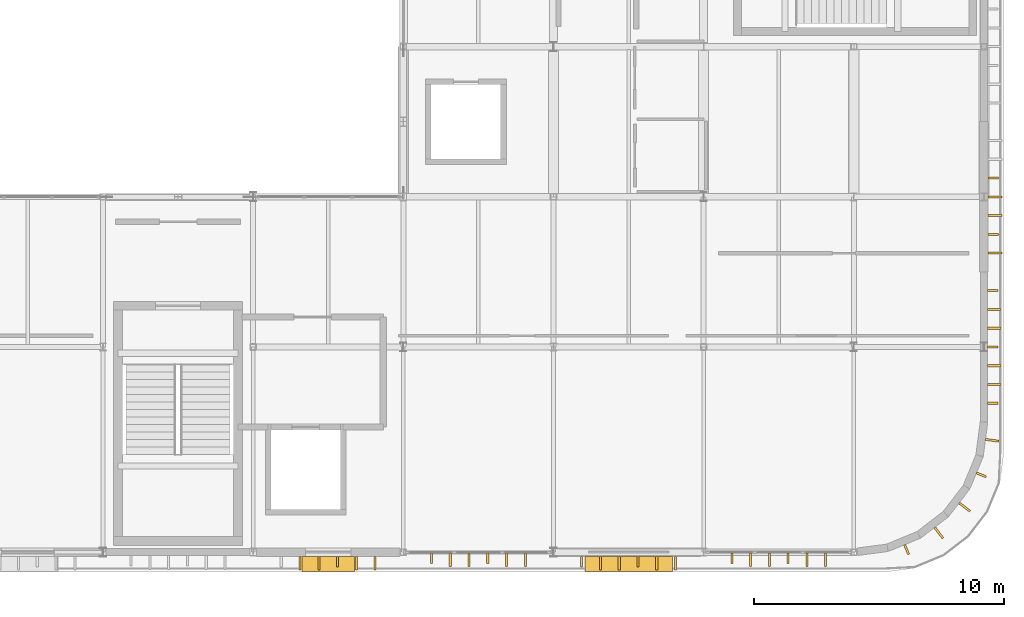
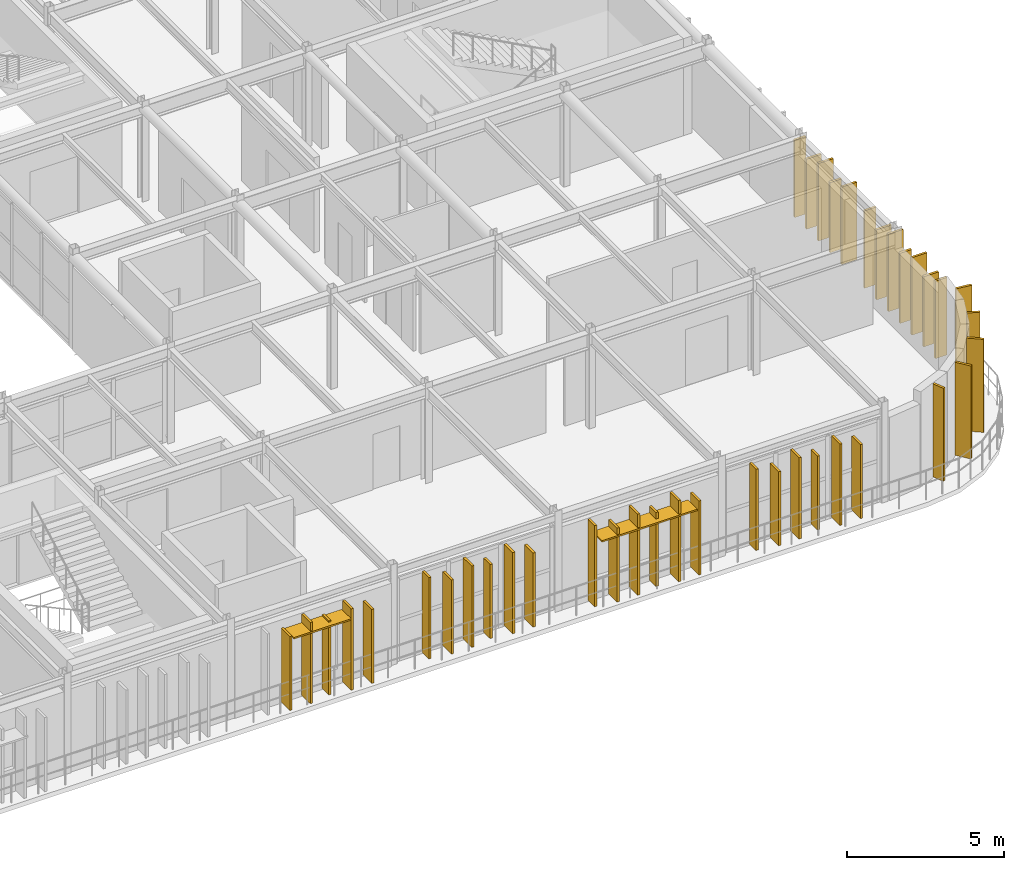
# One storey, part 61 of 63: 40 coverings, 2 shading devices.
"""IFC4 building model written with IfcOpenShell, lengths in metres."""

from ifc_helpers import new_model, si_unit, direction, frame, origin, origin_2d, place, context, subcontext, project, spatial, rectangle, extrude, material, layer, layer_set, type_object, element, save


model = new_model("IFC4")

# Units and contexts
model_context = context("Model", 3, precision=1e-05, world=origin(), true_north=direction((0.0, 1.0)))
body_context = subcontext(model_context, "Body", "Model", "MODEL_VIEW")
ifc_project = project(units=[si_unit("LENGTHUNIT", "METRE"), si_unit("AREAUNIT", "SQUARE_METRE"), si_unit("VOLUMEUNIT", "CUBIC_METRE"), si_unit("PLANEANGLEUNIT", "RADIAN"), si_unit("MASSUNIT", "GRAM", prefix="KILO")], contexts=[model_context])

# Site, building, storey
site_placement = place(None, origin())
site = spatial("IfcSite", under=ifc_project, at=site_placement, CompositionType="ELEMENT")
building_placement = place(site_placement, origin())
building = spatial("IfcBuilding", under=site, at=building_placement, Name="Varnakota Square Police Headquarters", CompositionType="ELEMENT")
storey_placement = place(building_placement, frame((0.0, 0.0, 22.199951171875)))
storey = spatial("IfcBuildingStorey", under=building, at=storey_placement, Name="L05", CompositionType="ELEMENT", Elevation=22.199951171875)

# Coverings
ifc_material_1 = material(Name="White Anodised Aluminium Vertical Facade Blade 420", Category="aluminium")
ifc_layer_1 = layer(ifc_material_1, 0.0849609375, Name="White Anodised Aluminium Vertical Facade Blade 420")
ifc_layer_set_1 = layer_set([ifc_layer_1], Name="White Anodised Aluminium Vertical Facade Blade 420")
covering_type_1 = type_object("IfcCoveringType", Name="COV-FIN-420", PredefinedType="CLADDING", material=ifc_layer_set_1)
covering_1_placement = place(storey_placement, frame((135.375, 0.425048828125, 0.0400390625), z_axis=(0.0, 0.0, 1.0), x_axis=(1.0, 0.0, 0.0)))
element("IfcCovering", 1, at=covering_1_placement, inside=storey, type_object=covering_type_1, Name="Vertical aluminium facade fin FIN-0646", PredefinedType="CLADDING", context=body_context, shape_type="SweptSolid", body=[
    extrude(rectangle(XDim=0.0849609375, YDim=0.419921875, at=origin_2d()), origin(), (0.0, 0.0, 1.0), 2.8701171875),
])
covering_2_placement = place(storey_placement, frame((139.125, 0.5625, 0.0400390625), z_axis=(0.0, 0.0, 1.0), x_axis=(1.0, 0.0, 0.0)))
element("IfcCovering", 2, at=covering_2_placement, inside=storey, type_object=covering_type_1, Name="Vertical aluminium facade fin FIN-0649", PredefinedType="CLADDING", context=body_context, shape_type="SweptSolid", body=[
    extrude(rectangle(XDim=0.0849609375, YDim=0.419921875, at=origin_2d()), origin(), (0.0, 0.0, 1.0), 3.14990234375),
])
covering_3_placement = place(storey_placement, frame((141.375, 0.5625, 0.0400390625), z_axis=(0.0, 0.0, 1.0), x_axis=(1.0, 0.0, 0.0)))
element("IfcCovering", 3, at=covering_3_placement, inside=storey, type_object=covering_type_1, Name="Vertical aluminium facade fin FIN-0652", PredefinedType="CLADDING", context=body_context, shape_type="SweptSolid", body=[
    extrude(rectangle(XDim=0.0849609375, YDim=0.419921875, at=origin_2d()), origin(), (0.0, 0.0, 1.0), 2.8701171875),
])
covering_4_placement = place(storey_placement, frame((145.125, 0.425048828125, 0.0400390625), z_axis=(0.0, 0.0, 1.0), x_axis=(1.0, 0.0, 0.0)))
element("IfcCovering", 4, at=covering_4_placement, inside=storey, type_object=covering_type_1, Name="Vertical aluminium facade fin FIN-0655", PredefinedType="CLADDING", context=body_context, shape_type="SweptSolid", body=[
    extrude(rectangle(XDim=0.0849609375, YDim=0.419921875, at=origin_2d()), origin(), (0.0, 0.0, 1.0), 3.14990234375),
])
covering_5_placement = place(storey_placement, frame((147.375, 0.425048828125, 0.0400390625), z_axis=(0.0, 0.0, 1.0), x_axis=(1.0, 0.0, 0.0)))
element("IfcCovering", 5, at=covering_5_placement, inside=storey, type_object=covering_type_1, Name="Vertical aluminium facade fin FIN-0658", PredefinedType="CLADDING", context=body_context, shape_type="SweptSolid", body=[
    extrude(rectangle(XDim=0.0849609375, YDim=0.419921875, at=origin_2d()), origin(), (0.0, 0.0, 1.0), 2.8701171875),
])
covering_6_placement = place(storey_placement, frame((151.125, 0.5625, 0.0400390625), z_axis=(0.0, 0.0, 1.0), x_axis=(1.0, 0.0, 0.0)))
element("IfcCovering", 6, at=covering_6_placement, inside=storey, type_object=covering_type_1, Name="Vertical aluminium facade fin FIN-0661", PredefinedType="CLADDING", context=body_context, shape_type="SweptSolid", body=[
    extrude(rectangle(XDim=0.0849609375, YDim=0.419921875, at=origin_2d()), origin(), (0.0, 0.0, 1.0), 3.14990234375),
])
covering_7_placement = place(storey_placement, frame((153.375, 0.5625, 0.0400390625), z_axis=(0.0, 0.0, 1.0), x_axis=(1.0, 0.0, 0.0)))
element("IfcCovering", 7, at=covering_7_placement, inside=storey, type_object=covering_type_1, Name="Vertical aluminium facade fin FIN-0664", PredefinedType="CLADDING", context=body_context, shape_type="SweptSolid", body=[
    extrude(rectangle(XDim=0.0849609375, YDim=0.419921875, at=origin_2d()), origin(), (0.0, 0.0, 1.0), 2.8701171875),
])
covering_8_placement = place(storey_placement, frame((161.544921875, 6.75, 0.0400390625), z_axis=(0.0, 0.0, 1.0), x_axis=(0.0, 1.0, 0.0)))
element("IfcCovering", 8, at=covering_8_placement, inside=storey, type_object=covering_type_1, Name="Vertical aluminium facade fin FIN-0667", PredefinedType="CLADDING", context=body_context, shape_type="SweptSolid", body=[
    extrude(rectangle(XDim=0.0849609375, YDim=0.419921875, at=origin_2d()), origin(), (0.0, 0.0, 1.0), 3.0),
])
covering_9_placement = place(storey_placement, frame((161.544921875, 9.0, 0.0400390625), z_axis=(0.0, 0.0, 1.0), x_axis=(0.0, 1.0, 0.0)))
element("IfcCovering", 9, at=covering_9_placement, inside=storey, type_object=covering_type_1, Name="Vertical aluminium facade fin FIN-0670", PredefinedType="CLADDING", context=body_context, shape_type="SweptSolid", body=[
    extrude(rectangle(XDim=0.0849609375, YDim=0.419921875, at=origin_2d()), origin(), (0.0, 0.0, 1.0), 2.719970703125),
])
covering_10_placement = place(storey_placement, frame((161.544921875, 11.25, 0.0400390625), z_axis=(0.0, 0.0, 1.0), x_axis=(0.0, 1.0, 0.0)))
element("IfcCovering", 10, at=covering_10_placement, inside=storey, type_object=covering_type_1, Name="Vertical aluminium facade fin FIN-0673", PredefinedType="CLADDING", context=body_context, shape_type="SweptSolid", body=[
    extrude(rectangle(XDim=0.0849609375, YDim=0.419921875, at=origin_2d()), origin(), (0.0, 0.0, 1.0), 3.0),
])
covering_11_placement = place(storey_placement, frame((161.574951171875, 13.5, 0.0400390625), z_axis=(0.0, 0.0, 1.0), x_axis=(0.0, 1.0, 0.0)))
element("IfcCovering", 11, at=covering_11_placement, inside=storey, type_object=covering_type_1, Name="Vertical aluminium facade fin FIN-0675", PredefinedType="CLADDING", context=body_context, shape_type="SweptSolid", body=[
    extrude(rectangle(XDim=0.0849609375, YDim=0.419921875, at=origin_2d()), origin(), (0.0, 0.0, 1.0), 2.719970703125),
])
covering_12_placement = place(storey_placement, frame((161.574951171875, 15.75, 0.0400390625), z_axis=(0.0, 0.0, 1.0), x_axis=(0.0, 1.0, 0.0)))
element("IfcCovering", 12, at=covering_12_placement, inside=storey, type_object=covering_type_1, Name="Vertical aluminium facade fin FIN-0678", PredefinedType="CLADDING", context=body_context, shape_type="SweptSolid", body=[
    extrude(rectangle(XDim=0.0849609375, YDim=0.419921875, at=origin_2d()), origin(), (0.0, 0.0, 1.0), 3.0),
])
for number, where, z_axis, x_axis, name in (
    (13, (158.10888671875, 0.908935546875, 0.0400390625), (0.0, 0.0, 1.0), (0.923879532511, 0.382683432365, 0.0), "Vertical aluminium facade fin FIN-0712"),
    (14, (161.091064453125, 3.89111328125, 0.0400390625), (0.0, 0.0, 1.0), (0.382683432365, 0.923879532511, 0.0), "Vertical aluminium facade fin FIN-0715"),
):
    element("IfcCovering", number, at=place(storey_placement, frame(where, z_axis=z_axis, x_axis=x_axis)), inside=storey, type_object=covering_type_1, Name=name, PredefinedType="CLADDING", context=body_context, shape_type="SweptSolid", body=[
        extrude(rectangle(XDim=0.0849609375, YDim=0.419921875, at=origin_2d()), origin(), (0.0, 0.0, 1.0), 3.60498046875),
    ])
ifc_material_2 = material(Name="White Anodised Aluminium Vertical Facade Blade 550", Category="aluminium")
ifc_layer_2 = layer(ifc_material_2, 0.0849609375, Name="White Anodised Aluminium Vertical Facade Blade 550")
ifc_layer_set_2 = layer_set([ifc_layer_2], Name="White Anodised Aluminium Vertical Facade Blade 550")
covering_type_2 = type_object("IfcCoveringType", Name="COV-FIN-550", PredefinedType="CLADDING", material=ifc_layer_set_2)
covering_13_placement = place(storey_placement, frame((133.875, 0.360107421875, 0.0400390625), z_axis=(0.0, 0.0, 1.0), x_axis=(1.0, 0.0, 0.0)))
element("IfcCovering", 15, at=covering_13_placement, inside=storey, type_object=covering_type_2, Name="Vertical aluminium facade fin FIN-0644", PredefinedType="CLADDING", context=body_context, shape_type="SweptSolid", body=[
    extrude(rectangle(XDim=0.0849609375, YDim=0.550048828125, at=origin_2d()), origin(), (0.0, 0.0, 1.0), 2.8701171875),
])
for number, where, z_axis, x_axis, name in (
    (16, (134.625, 0.360107421875, 0.0400390625), (0.0, 0.0, 1.0), (1.0, 0.0, 0.0), "Vertical aluminium facade fin FIN-0645"),
    (17, (136.125, 0.360107421875, 0.0400390625), (0.0, 0.0, 1.0), (1.0, 0.0, 0.0), "Vertical aluminium facade fin FIN-0647"),
):
    element("IfcCovering", number, at=place(storey_placement, frame(where, z_axis=z_axis, x_axis=x_axis)), inside=storey, type_object=covering_type_2, Name=name, PredefinedType="CLADDING", context=body_context, shape_type="SweptSolid", body=[
        extrude(rectangle(XDim=0.0849609375, YDim=0.550048828125, at=origin_2d()), origin(), (0.0, 0.0, 1.0), 3.14990234375),
    ])
for number, where, z_axis, x_axis, name in (
    (18, (136.875, 0.360107421875, 0.0400390625), (0.0, 0.0, 1.0), (1.0, 0.0, 0.0), "Vertical aluminium facade fin FIN-0648"),
    (19, (139.875, 0.49755859375, 0.0400390625), (0.0, 0.0, 1.0), (1.0, 0.0, 0.0), "Vertical aluminium facade fin FIN-0650"),
):
    element("IfcCovering", number, at=place(storey_placement, frame(where, z_axis=z_axis, x_axis=x_axis)), inside=storey, type_object=covering_type_2, Name=name, PredefinedType="CLADDING", context=body_context, shape_type="SweptSolid", body=[
        extrude(rectangle(XDim=0.0849609375, YDim=0.550048828125, at=origin_2d()), origin(), (0.0, 0.0, 1.0), 2.8701171875),
    ])
for number, where, z_axis, x_axis, name in (
    (20, (140.625, 0.49755859375, 0.0400390625), (0.0, 0.0, 1.0), (1.0, 0.0, 0.0), "Vertical aluminium facade fin FIN-0651"),
    (21, (142.125, 0.49755859375, 0.0400390625), (0.0, 0.0, 1.0), (1.0, 0.0, 0.0), "Vertical aluminium facade fin FIN-0653"),
):
    element("IfcCovering", number, at=place(storey_placement, frame(where, z_axis=z_axis, x_axis=x_axis)), inside=storey, type_object=covering_type_2, Name=name, PredefinedType="CLADDING", context=body_context, shape_type="SweptSolid", body=[
        extrude(rectangle(XDim=0.0849609375, YDim=0.550048828125, at=origin_2d()), origin(), (0.0, 0.0, 1.0), 3.14990234375),
    ])
for number, where, z_axis, x_axis, name in (
    (22, (142.875, 0.49755859375, 0.0400390625), (0.0, 0.0, 1.0), (1.0, 0.0, 0.0), "Vertical aluminium facade fin FIN-0654"),
    (23, (145.875, 0.360107421875, 0.0400390625), (0.0, 0.0, 1.0), (1.0, 0.0, 0.0), "Vertical aluminium facade fin FIN-0656"),
):
    element("IfcCovering", number, at=place(storey_placement, frame(where, z_axis=z_axis, x_axis=x_axis)), inside=storey, type_object=covering_type_2, Name=name, PredefinedType="CLADDING", context=body_context, shape_type="SweptSolid", body=[
        extrude(rectangle(XDim=0.0849609375, YDim=0.550048828125, at=origin_2d()), origin(), (0.0, 0.0, 1.0), 2.8701171875),
    ])
for number, where, z_axis, x_axis, name in (
    (24, (146.625, 0.360107421875, 0.0400390625), (0.0, 0.0, 1.0), (1.0, 0.0, 0.0), "Vertical aluminium facade fin FIN-0657"),
    (25, (148.125, 0.360107421875, 0.0400390625), (0.0, 0.0, 1.0), (1.0, 0.0, 0.0), "Vertical aluminium facade fin FIN-0659"),
):
    element("IfcCovering", number, at=place(storey_placement, frame(where, z_axis=z_axis, x_axis=x_axis)), inside=storey, type_object=covering_type_2, Name=name, PredefinedType="CLADDING", context=body_context, shape_type="SweptSolid", body=[
        extrude(rectangle(XDim=0.0849609375, YDim=0.550048828125, at=origin_2d()), origin(), (0.0, 0.0, 1.0), 3.14990234375),
    ])
for number, where, z_axis, x_axis, name in (
    (26, (148.875, 0.360107421875, 0.0400390625), (0.0, 0.0, 1.0), (1.0, 0.0, 0.0), "Vertical aluminium facade fin FIN-0660"),
    (27, (151.875, 0.49755859375, 0.0400390625), (0.0, 0.0, 1.0), (1.0, 0.0, 0.0), "Vertical aluminium facade fin FIN-0662"),
):
    element("IfcCovering", number, at=place(storey_placement, frame(where, z_axis=z_axis, x_axis=x_axis)), inside=storey, type_object=covering_type_2, Name=name, PredefinedType="CLADDING", context=body_context, shape_type="SweptSolid", body=[
        extrude(rectangle(XDim=0.0849609375, YDim=0.550048828125, at=origin_2d()), origin(), (0.0, 0.0, 1.0), 2.8701171875),
    ])
for number, where, z_axis, x_axis, name in (
    (28, (152.625, 0.49755859375, 0.0400390625), (0.0, 0.0, 1.0), (1.0, 0.0, 0.0), "Vertical aluminium facade fin FIN-0663"),
    (29, (154.125, 0.49755859375, 0.0400390625), (0.0, 0.0, 1.0), (1.0, 0.0, 0.0), "Vertical aluminium facade fin FIN-0665"),
):
    element("IfcCovering", number, at=place(storey_placement, frame(where, z_axis=z_axis, x_axis=x_axis)), inside=storey, type_object=covering_type_2, Name=name, PredefinedType="CLADDING", context=body_context, shape_type="SweptSolid", body=[
        extrude(rectangle(XDim=0.0849609375, YDim=0.550048828125, at=origin_2d()), origin(), (0.0, 0.0, 1.0), 3.14990234375),
    ])
covering_14_placement = place(storey_placement, frame((154.875, 0.49755859375, 0.0400390625), z_axis=(0.0, 0.0, 1.0), x_axis=(1.0, 0.0, 0.0)))
element("IfcCovering", 30, at=covering_14_placement, inside=storey, type_object=covering_type_2, Name="Vertical aluminium facade fin FIN-0666", PredefinedType="CLADDING", context=body_context, shape_type="SweptSolid", body=[
    extrude(rectangle(XDim=0.0849609375, YDim=0.550048828125, at=origin_2d()), origin(), (0.0, 0.0, 1.0), 2.8701171875),
])
covering_15_placement = place(storey_placement, frame((161.610107421875, 7.5, 0.0400390625), z_axis=(0.0, 0.0, 1.0), x_axis=(0.0, 1.0, 0.0)))
element("IfcCovering", 31, at=covering_15_placement, inside=storey, type_object=covering_type_2, Name="Vertical aluminium facade fin FIN-0668", PredefinedType="CLADDING", context=body_context, shape_type="SweptSolid", body=[
    extrude(rectangle(XDim=0.0849609375, YDim=0.550048828125, at=origin_2d()), origin(), (0.0, 0.0, 1.0), 2.719970703125),
])
for number, where, z_axis, x_axis, name in (
    (32, (161.610107421875, 8.25, 0.0400390625), (0.0, 0.0, 1.0), (0.0, 1.0, 0.0), "Vertical aluminium facade fin FIN-0669"),
    (33, (161.610107421875, 9.75, 0.0400390625), (0.0, 0.0, 1.0), (0.0, 1.0, 0.0), "Vertical aluminium facade fin FIN-0671"),
):
    element("IfcCovering", number, at=place(storey_placement, frame(where, z_axis=z_axis, x_axis=x_axis)), inside=storey, type_object=covering_type_2, Name=name, PredefinedType="CLADDING", context=body_context, shape_type="SweptSolid", body=[
        extrude(rectangle(XDim=0.0849609375, YDim=0.550048828125, at=origin_2d()), origin(), (0.0, 0.0, 1.0), 3.0),
    ])
covering_16_placement = place(storey_placement, frame((161.610107421875, 10.5, 0.0400390625), z_axis=(0.0, 0.0, 1.0), x_axis=(0.0, 1.0, 0.0)))
element("IfcCovering", 34, at=covering_16_placement, inside=storey, type_object=covering_type_2, Name="Vertical aluminium facade fin FIN-0672", PredefinedType="CLADDING", context=body_context, shape_type="SweptSolid", body=[
    extrude(rectangle(XDim=0.0849609375, YDim=0.550048828125, at=origin_2d()), origin(), (0.0, 0.0, 1.0), 2.719970703125),
])
for number, where, z_axis, x_axis, name in (
    (35, (161.639892578125, 12.75, 0.0400390625), (0.0, 0.0, 1.0), (0.0, 1.0, 0.0), "Vertical aluminium facade fin FIN-0674"),
    (36, (161.639892578125, 14.25, 0.0400390625), (0.0, 0.0, 1.0), (0.0, 1.0, 0.0), "Vertical aluminium facade fin FIN-0676"),
):
    element("IfcCovering", number, at=place(storey_placement, frame(where, z_axis=z_axis, x_axis=x_axis)), inside=storey, type_object=covering_type_2, Name=name, PredefinedType="CLADDING", context=body_context, shape_type="SweptSolid", body=[
        extrude(rectangle(XDim=0.0849609375, YDim=0.550048828125, at=origin_2d()), origin(), (0.0, 0.0, 1.0), 3.0),
    ])
covering_17_placement = place(storey_placement, frame((161.639892578125, 15.0, 0.0400390625), z_axis=(0.0, 0.0, 1.0), x_axis=(0.0, 1.0, 0.0)))
element("IfcCovering", 37, at=covering_17_placement, inside=storey, type_object=covering_type_2, Name="Vertical aluminium facade fin FIN-0677", PredefinedType="CLADDING", context=body_context, shape_type="SweptSolid", body=[
    extrude(rectangle(XDim=0.0849609375, YDim=0.550048828125, at=origin_2d()), origin(), (0.0, 0.0, 1.0), 2.719970703125),
])
for number, where, z_axis, x_axis, name in (
    (38, (159.394287109375, 1.57666015625, 0.0400390625), (0.0, 0.0, 1.0), (0.793353340291, 0.608761429009, 0.0), "Vertical aluminium facade fin FIN-0713"),
    (39, (160.42333984375, 2.605712890625, 0.0400390625), (0.0, 0.0, 1.0), (0.608761429009, 0.793353340291, 0.0), "Vertical aluminium facade fin FIN-0714"),
    (40, (161.52783203125, 5.272216796875, 0.0400390625), (0.0, 0.0, 1.0), (0.13052619222, 0.991444861374, 0.0), "Vertical aluminium facade fin FIN-0716"),
):
    element("IfcCovering", number, at=place(storey_placement, frame(where, z_axis=z_axis, x_axis=x_axis)), inside=storey, type_object=covering_type_2, Name=name, PredefinedType="CLADDING", context=body_context, shape_type="SweptSolid", body=[
        extrude(rectangle(XDim=0.0849609375, YDim=0.550048828125, at=origin_2d()), origin(), (0.0, 0.0, 1.0), 3.60498046875),
    ])

# Shading devices
ifc_material_3 = material(Name="Anodised Aluminium Horizontal Brise-Soleil", Category="aluminium")
ifc_layer_3 = layer(ifc_material_3, 0.06005859375, Name="Anodised Aluminium Horizontal Brise-Soleil")
ifc_layer_set_3 = layer_set([ifc_layer_3], Name="Anodised Aluminium Horizontal Brise-Soleil")
shading_device_type = type_object("IfcShadingDeviceType", Name="SHD-JAL-600", PredefinedType="JALOUSIE", material=ifc_layer_set_3)
shading_device_1_placement = place(storey_placement, frame((135.0, 0.33203125, 2.800048828125), z_axis=(0.0, 0.0, 1.0), x_axis=(1.0, 0.0, 0.0)))
element("IfcShadingDevice", 41, at=shading_device_1_placement, inside=storey, type_object=shading_device_type, Name="Horizontal sunshade SHD-032", PredefinedType="JALOUSIE", context=body_context, shape_type="SweptSolid", body=[
    extrude(rectangle(XDim=2.10009765625, YDim=0.60009765625, at=origin_2d()), origin(), (0.0, 0.0, 1.0), 0.06005859375),
])
shading_device_2_placement = place(storey_placement, frame((147.0, 0.33203125, 2.60009765625), z_axis=(0.0, 0.0, 1.0), x_axis=(1.0, 0.0, 0.0)))
element("IfcShadingDevice", 42, at=shading_device_2_placement, inside=storey, type_object=shading_device_type, Name="Horizontal sunshade SHD-033", PredefinedType="JALOUSIE", context=body_context, shape_type="SweptSolid", body=[
    extrude(rectangle(XDim=3.5, YDim=0.60009765625, at=origin_2d()), origin(), (0.0, 0.0, 1.0), 0.06005859375),
])

save(model, "model.ifc")
